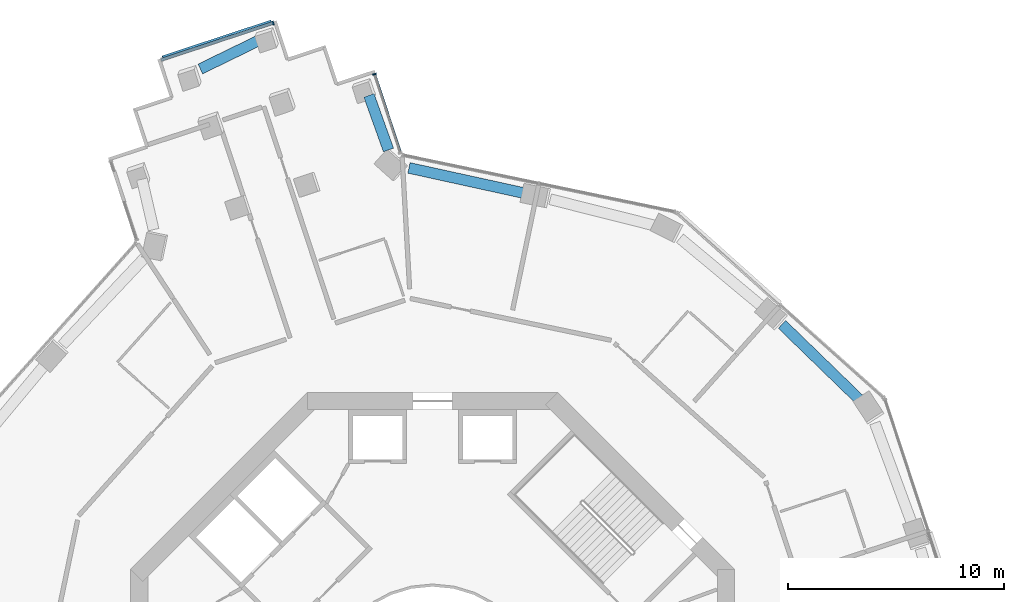
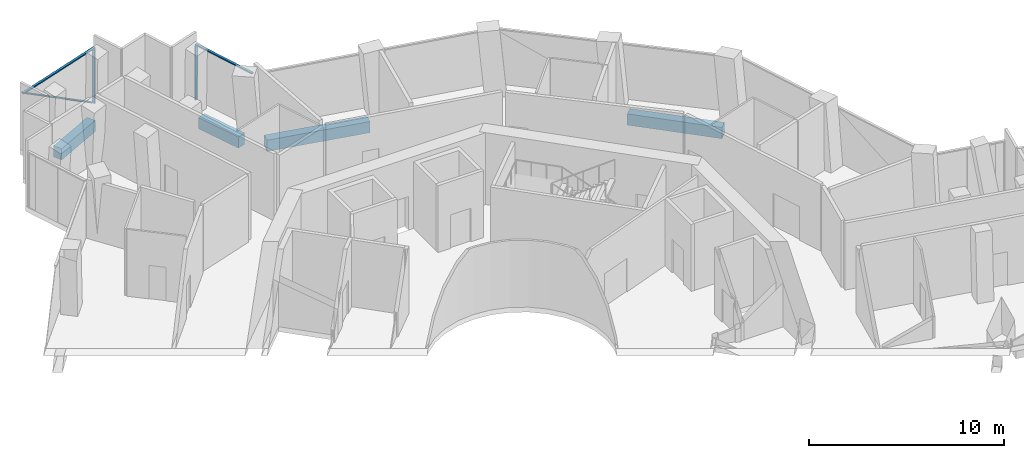
# One storey, part 8 of 21: 5 members, 4 beams, 2 elements without a shape of their own.
"""IFC4 building model written with IfcOpenShell, lengths in metres."""

from ifc_helpers import new_model, si_unit, direction, frame, origin, origin_2d, place, context, subcontext, project, spatial, rectangle, extrude, material, layer, layer_set, material_profile, profile_set, type_object, element, aggregate, save


model = new_model("IFC4")

# Units and contexts
model_context = context("Model", 3, precision=1e-05, world=origin(), true_north=direction((0.0, 1.0)))
body_context = subcontext(model_context, "Body", "Model", "MODEL_VIEW")
ifc_project = project(units=[si_unit("LENGTHUNIT", "METRE"), si_unit("AREAUNIT", "SQUARE_METRE"), si_unit("VOLUMEUNIT", "CUBIC_METRE"), si_unit("PLANEANGLEUNIT", "RADIAN"), si_unit("MASSUNIT", "GRAM", prefix="KILO")], contexts=[model_context])

# Site, building, storey
site_placement = place(None, origin())
site = spatial("IfcSite", under=ifc_project, at=site_placement, CompositionType="ELEMENT")
building_placement = place(site_placement, origin())
building = spatial("IfcBuilding", under=site, at=building_placement, Name="Verdalira Terraces Hotel", CompositionType="ELEMENT")
storey_placement = place(building_placement, frame((0.0, 0.0, 107.0)))
storey = spatial("IfcBuildingStorey", under=building, at=storey_placement, Name="L25", CompositionType="ELEMENT", Elevation=107.0)

# Curtain wall, member
ifc_material_1 = material(Name="Clear glass", Category="glass")
ifc_layer = layer(ifc_material_1, 0.179931640625)
ifc_layer_set = layer_set([ifc_layer], Name="CW4 curtain wall")
curtain_wall_type = type_object("IfcCurtainWallType", Name="CW4 curtain wall", PredefinedType="NOTDEFINED", material=ifc_layer_set)
curtain_wall_1_placement = place(storey_placement, origin())
curtain_wall_1 = element("IfcCurtainWall", 1, at=curtain_wall_1_placement, inside=storey, type_object=curtain_wall_type, Name="CW4 curtain wall L25 edge 0", PredefinedType="NOTDEFINED")
ifc_material_2 = material(Name="Terracotta frame", Category="masonry")
ifc_material_profile_1 = material_profile(ifc_material_2, rectangle(XDim=0.064941, YDim=0.179932, at=origin_2d()), Name="MU 65x180")
ifc_profile_set_1 = profile_set([ifc_material_profile_1], Name="Terracotta frame")
member_type_1 = type_object("IfcMemberType", Name="CW4 mullion 65x180", PredefinedType="MULLION", material=ifc_profile_set_1)
member_1_placement = place(storey_placement, frame((-2.694824, 28.752197, 0.0), z_axis=(0.0, 0.0, 1.0), x_axis=(-0.312998048, 0.949753769, 0.0)))
member_1 = element("IfcMember", 2, at=member_1_placement, type_object=member_type_1, Name="CW4 mullion", PredefinedType="MULLION", context=body_context, shape_type="SweptSolid", body=[
    extrude(rectangle(XDim=0.064941, YDim=0.179932, at=origin_2d()), origin(), (0.0, 0.0, 1.0), 3.419922),
])

curtain_wall_2_placement = place(storey_placement, origin())
curtain_wall_2 = element("IfcCurtainWall", 3, at=curtain_wall_2_placement, inside=storey, type_object=curtain_wall_type, Name="CW4 curtain wall L25 edge 5", PredefinedType="NOTDEFINED")
member_2_placement = place(storey_placement, frame((-7.395264, 31.122559, 0.0), z_axis=(0.0, 0.0, 1.0), x_axis=(-0.949753769, -0.312998048, 0.0)))
member_2 = element("IfcMember", 4, at=member_2_placement, type_object=member_type_1, Name="CW4 mullion", PredefinedType="MULLION", context=body_context, shape_type="SweptSolid", body=[
    extrude(rectangle(XDim=0.064941, YDim=0.179932, at=origin_2d()), origin(), (0.0, 0.0, 1.0), 3.419922),
])

# Member
ifc_material_3 = material(Name="Terracotta frame", Category="masonry")
ifc_material_profile_2 = material_profile(ifc_material_3, rectangle(XDim=0.139893, YDim=0.070068, at=origin_2d()), Name="TR 70x140")
ifc_profile_set_2 = profile_set([ifc_material_profile_2], Name="Terracotta frame")
member_type_2 = type_object("IfcMemberType", Name="CW4 transom 70x140", PredefinedType="USERDEFINED", material=ifc_profile_set_2)
member_3_placement = place(storey_placement, frame((-1.481934, 25.071533, 3.455078), z_axis=(-0.312983634, 0.949758519, 0.0), x_axis=(-0.949758519, -0.312983634, 0.0)))
member_3 = element("IfcMember", 5, at=member_3_placement, type_object=member_type_2, Name="CW4 transom", ObjectType="TRANSOM", PredefinedType="USERDEFINED", context=body_context, shape_type="SweptSolid", body=[
    extrude(rectangle(XDim=0.139893, YDim=0.070068, at=origin_2d()), origin(), (0.0, 0.0, 1.0), 3.907959),
])

aggregate(curtain_wall_1, [member_1, member_3])

member_4_placement = place(storey_placement, frame((-7.364502, 31.132812, 3.455078), z_axis=(-0.949743246, -0.313029976, 0.0), x_axis=(0.313029976, -0.949743246, 0.0)))
member_4 = element("IfcMember", 6, at=member_4_placement, type_object=member_type_2, Name="CW4 transom", ObjectType="TRANSOM", PredefinedType="USERDEFINED", context=body_context, shape_type="SweptSolid", body=[
    extrude(rectangle(XDim=0.139893, YDim=0.070068, at=origin_2d()), origin(), (0.0, 0.0, 1.0), 5.5),
])

ifc_material_4 = material(Name="Terracotta frame", Category="masonry")
ifc_material_profile_3 = material_profile(ifc_material_4, rectangle(XDim=0.149902, YDim=0.060059, at=origin_2d()), Name="GB 60x150")
ifc_profile_set_3 = profile_set([ifc_material_profile_3], Name="Terracotta frame")
member_type_3 = type_object("IfcMemberType", Name="Diagonal glazing bar 60x150", PredefinedType="USERDEFINED", material=ifc_profile_set_3)
member_5_placement = place(storey_placement, frame((-7.494629, 31.187744, 0.026367), z_axis=(-0.801092046, -0.263992701, 0.537177241), x_axis=(0.31298433, -0.94975829, 0.0)))
member_5 = element("IfcMember", 7, at=member_5_placement, type_object=member_type_3, Name="Diagonal glazing bar", ObjectType="GLAZING BAR", PredefinedType="USERDEFINED", context=body_context, shape_type="SweptSolid", body=[
    extrude(rectangle(XDim=0.149902, YDim=0.060059, at=origin_2d()), origin(), (0.0, 0.0, 1.0), 6.268311),
])

aggregate(curtain_wall_2, [member_2, member_4, member_5])

# Beams
ifc_material_5 = material(Name="Concrete C70", Category="concrete")
ifc_material_profile_4 = material_profile(ifc_material_5, rectangle(XDim=0.5, YDim=0.699951, at=origin_2d()), Name="RC 500X700")
ifc_profile_set_4 = profile_set([ifc_material_profile_4], Name="Concrete C70")
beam_type = type_object("IfcBeamType", Name="Spandrel beam RC 500X700 C70", PredefinedType="SPANDREL", material=ifc_profile_set_4)
beam_1_placement = place(storey_placement, frame((-2.045166, 25.238525, -0.659912), z_axis=(-0.336854707, 0.94155664, 0.0), x_axis=(-0.94155664, -0.336854707, 0.0)))
element("IfcBeam", 8, at=beam_1_placement, inside=storey, type_object=beam_type, Name="Spandrel beam B01", PredefinedType="SPANDREL", context=body_context, shape_type="SweptSolid", body=[
    extrude(rectangle(XDim=0.5, YDim=0.699951, at=origin_2d()), origin(), (0.0, 0.0, 1.0), 2.685303),
])
beam_2_placement = place(storey_placement, frame((-8.0, 30.341553, -0.659912), z_axis=(-0.89888969, -0.438174994, 0.0), x_axis=(0.438174994, -0.89888969, 0.0)))
element("IfcBeam", 9, at=beam_2_placement, inside=storey, type_object=beam_type, Name="Spandrel beam B02", PredefinedType="SPANDREL", context=body_context, shape_type="SweptSolid", body=[
    extrude(rectangle(XDim=0.5, YDim=0.699951, at=origin_2d()), origin(), (0.0, 0.0, 1.0), 3.076172),
])
beam_3_placement = place(storey_placement, frame((19.798584, 13.659668, -0.659912), z_axis=(-0.717662973, 0.696390592, 0.0), x_axis=(-0.696390592, -0.717662973, 0.0)))
element("IfcBeam", 10, at=beam_3_placement, inside=storey, type_object=beam_type, Name="Spandrel beam B26", PredefinedType="SPANDREL", context=body_context, shape_type="SweptSolid", body=[
    extrude(rectangle(XDim=0.5, YDim=0.699951, at=origin_2d()), origin(), (0.0, 0.0, 1.0), 5.015381),
])
beam_4_placement = place(storey_placement, frame((4.320068, 23.220703, -0.659912), z_axis=(-0.976828153, 0.214025135, 0.0), x_axis=(-0.214025135, -0.976828153, 0.0)))
element("IfcBeam", 11, at=beam_4_placement, inside=storey, type_object=beam_type, Name="Spandrel beam B29", PredefinedType="SPANDREL", context=body_context, shape_type="SweptSolid", body=[
    extrude(rectangle(XDim=0.5, YDim=0.699951, at=origin_2d()), origin(), (0.0, 0.0, 1.0), 5.544922),
])

save(model, "model.ifc")
